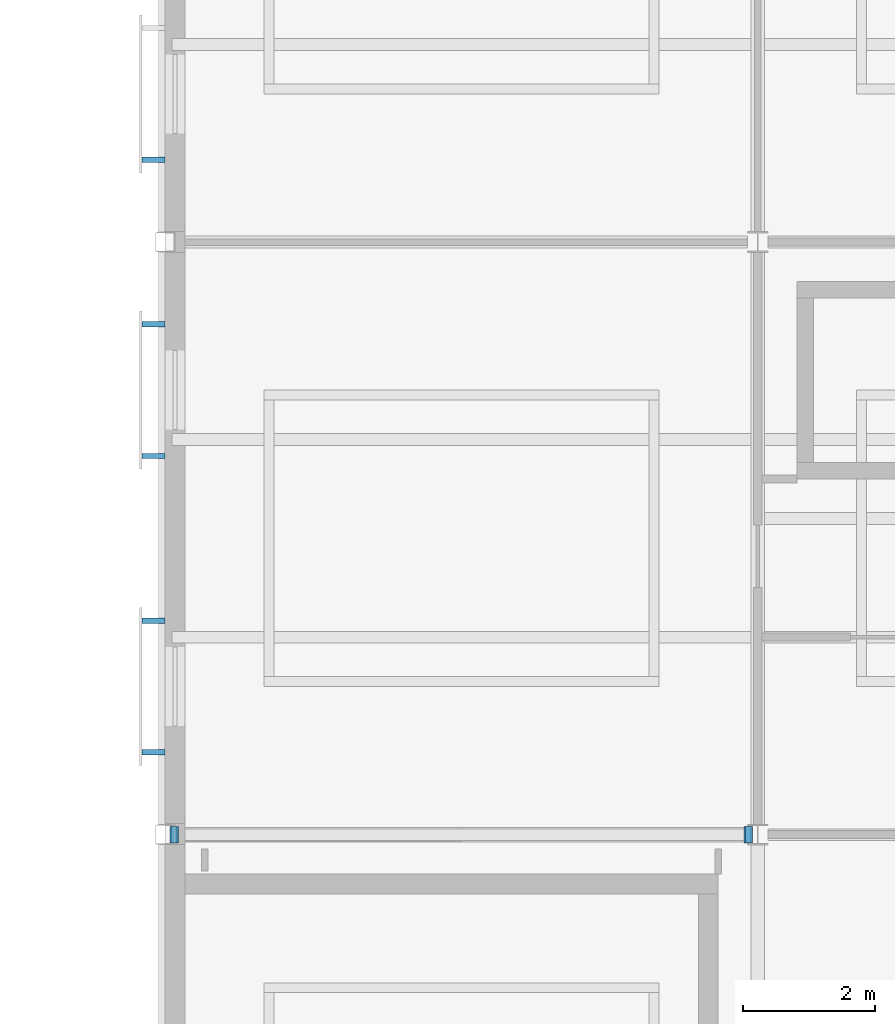
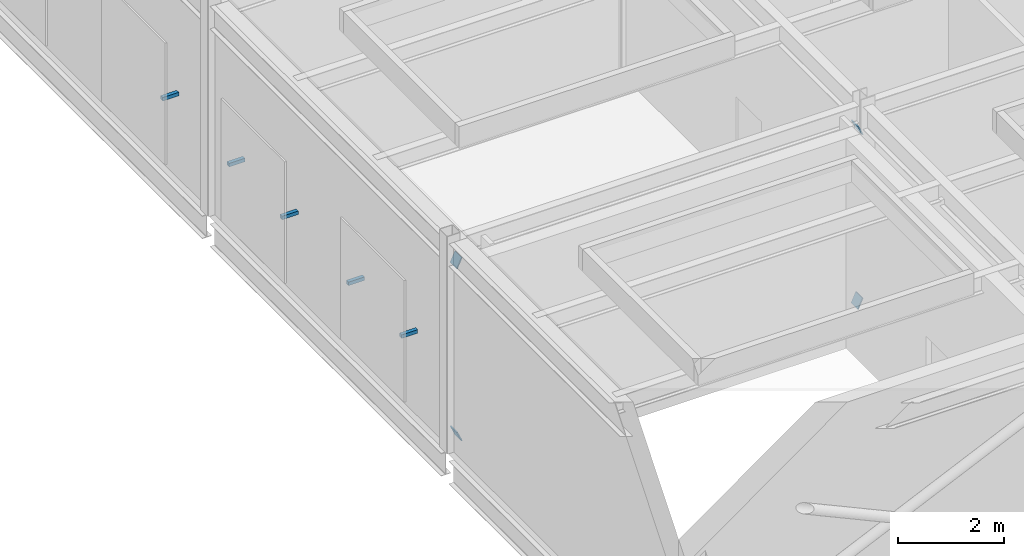
# One storey, part 97 of 115: 9 discrete accessories.
"""IFC4 building model written with IfcOpenShell, lengths in metres."""

from ifc_helpers import new_model, si_unit, direction, frame, origin, origin_2d, place, context, subcontext, project, spatial, polyline, rectangle, outline, extrude, material, layer, layer_set, type_object, element, save


model = new_model("IFC4")

# Units and contexts
model_context = context("Model", 3, precision=1e-05, world=origin(), true_north=direction((0.0, 1.0)))
body_context = subcontext(model_context, "Body", "Model", "MODEL_VIEW")
ifc_project = project(units=[si_unit("LENGTHUNIT", "METRE"), si_unit("AREAUNIT", "SQUARE_METRE"), si_unit("VOLUMEUNIT", "CUBIC_METRE"), si_unit("PLANEANGLEUNIT", "RADIAN"), si_unit("MASSUNIT", "GRAM", prefix="KILO")], contexts=[model_context])

# Site, building, storey
site_placement = place(None, origin())
site = spatial("IfcSite", under=ifc_project, at=site_placement, CompositionType="ELEMENT")
building_placement = place(site_placement, origin())
building = spatial("IfcBuilding", under=site, at=building_placement, Name="Shorebreak Coast Museum", CompositionType="ELEMENT")
storey_placement = place(building_placement, frame((0.0, 0.0, 11.0)))
storey = spatial("IfcBuildingStorey", under=building, at=storey_placement, Name="L02", CompositionType="ELEMENT", Elevation=11.0)

# Discrete accessories
ifc_material_1 = material(Name="Steel Grade 300", Category="steel")
ifc_layer = layer(ifc_material_1, 0.02490234375)
ifc_layer_set = layer_set([ifc_layer], Name="Steel Grade 300")
discrete_accessory_type_1 = type_object("IfcDiscreteAccessoryType", Name="End plate 250 x 250 x 25", PredefinedType="BRACKET", material=ifc_layer_set)
discrete_accessory_1_placement = place(storey_placement, frame((54.201904296875, 35.875, 0.186279296875), z_axis=(0.909495559707, 0.0, 0.41571363566), x_axis=(0.0, 1.0, 0.0)))
element("IfcDiscreteAccessory", 1, at=discrete_accessory_1_placement, inside=storey, type_object=discrete_accessory_type_1, Name="End plate X-brace bay 16 L02 diagonal 1 end 1", PredefinedType="BRACKET", context=body_context, shape_type="SweptSolid", body=[
    extrude(outline(polyline([(0.0, 0.0), (0.25, 0.0), (0.25, 0.2501816089936223), (0.0, 0.2501816089936223), (0.0, 0.0)])), origin(), (0.0, 0.0, -1.0), 0.02490234375),
])
discrete_accessory_2_placement = place(storey_placement, frame((62.921142578125, 35.875, 4.171630859375), z_axis=(0.909864310999, 0.0, 0.41490593581), x_axis=(0.0, 1.0, 0.0)))
element("IfcDiscreteAccessory", 2, at=discrete_accessory_2_placement, inside=storey, type_object=discrete_accessory_type_1, Name="End plate X-brace bay 16 L02 diagonal 1 end 2", PredefinedType="BRACKET", context=body_context, shape_type="SweptSolid", body=[
    extrude(outline(polyline([(0.0, 0.0), (0.25, 0.0), (0.25, 0.2500802149829807), (0.0, 0.2500802149829807), (0.0, 0.0)])), origin(), (0.0, 0.0, -1.0), 0.02490234375),
])
for number, where, z_axis, x_axis, name in (
    (3, (62.79443359375, 36.125, 0.186279296875), (-0.909495559707, 0.0, 0.41571363566), (0.0, -1.0, 0.0), "End plate X-brace bay 16 L02 diagonal 2 end 1"),
    (4, (54.0751953125, 36.125, 4.171630859375), (-0.909495559707, 0.0, 0.41571363566), (0.0, -1.0, 0.0), "End plate X-brace bay 16 L02 diagonal 2 end 2"),
):
    element("IfcDiscreteAccessory", number, at=place(storey_placement, frame(where, z_axis=z_axis, x_axis=x_axis)), inside=storey, type_object=discrete_accessory_type_1, Name=name, PredefinedType="BRACKET", context=body_context, shape_type="SweptSolid", body=[
        extrude(outline(polyline([(0.0, 0.0), (0.25, 0.0), (0.25, 0.2501816089936223), (0.0, 0.2501816089936223), (0.0, 0.0)])), origin(), (0.0, 0.0, -1.0), 0.02490234375),
    ])
ifc_material_2 = material(Name="Aluminium", Category="aluminium")
discrete_accessory_type_2 = type_object("IfcDiscreteAccessoryType", Name="Fixing bracket 80 x 350", PredefinedType="BRACKET", material=ifc_material_2)
for number, where, z_axis, x_axis, name in (
    (5, (53.824951171875, 37.25, 1.909912109375), (0.0, 0.0, 1.0), (1.0, 0.0, 0.0), "Fixing bracket"),
    (6, (53.824951171875, 39.25, 1.909912109375), (0.0, 0.0, 1.0), (1.0, 0.0, 0.0), "Fixing bracket"),
    (7, (53.824951171875, 41.75, 1.909912109375), (0.0, 0.0, 1.0), (1.0, 0.0, 0.0), "Fixing bracket"),
    (8, (53.824951171875, 43.75, 1.909912109375), (0.0, 0.0, 1.0), (1.0, 0.0, 0.0), "Fixing bracket"),
    (9, (53.824951171875, 46.25, 1.909912109375), (0.0, 0.0, 1.0), (1.0, 0.0, 0.0), "Fixing bracket"),
):
    element("IfcDiscreteAccessory", number, at=place(storey_placement, frame(where, z_axis=z_axis, x_axis=x_axis)), inside=storey, type_object=discrete_accessory_type_2, Name=name, PredefinedType="BRACKET", context=body_context, shape_type="SweptSolid", body=[
        extrude(rectangle(XDim=0.35009765625, YDim=0.080078125, at=origin_2d()), origin(), (0.0, 0.0, 1.0), 0.080078125),
    ])

save(model, "model.ifc")
